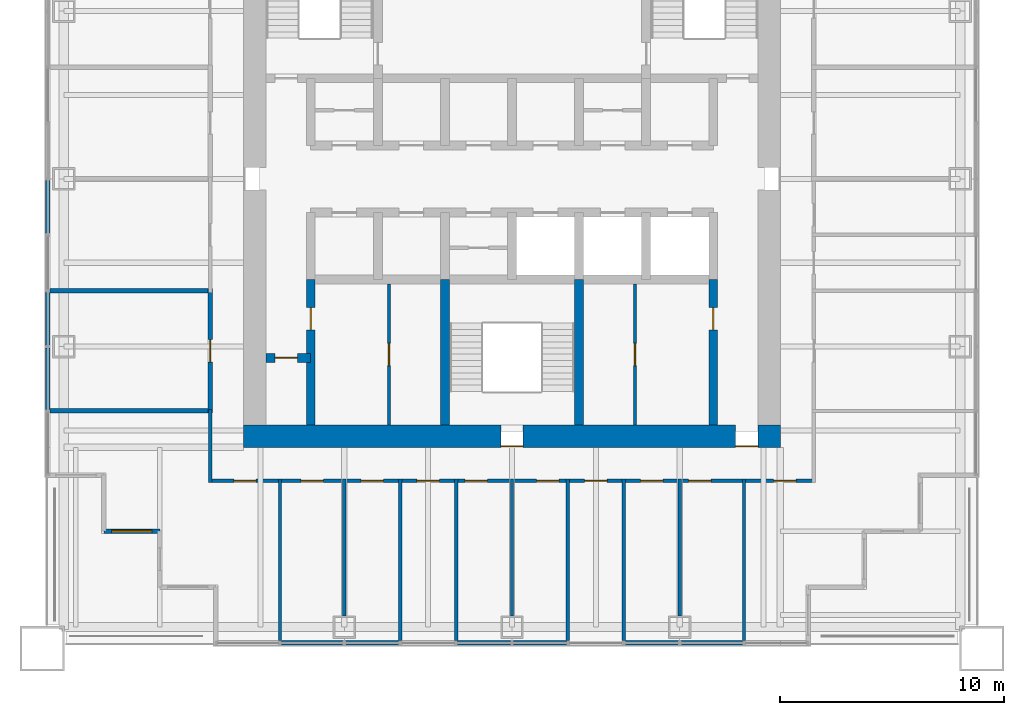
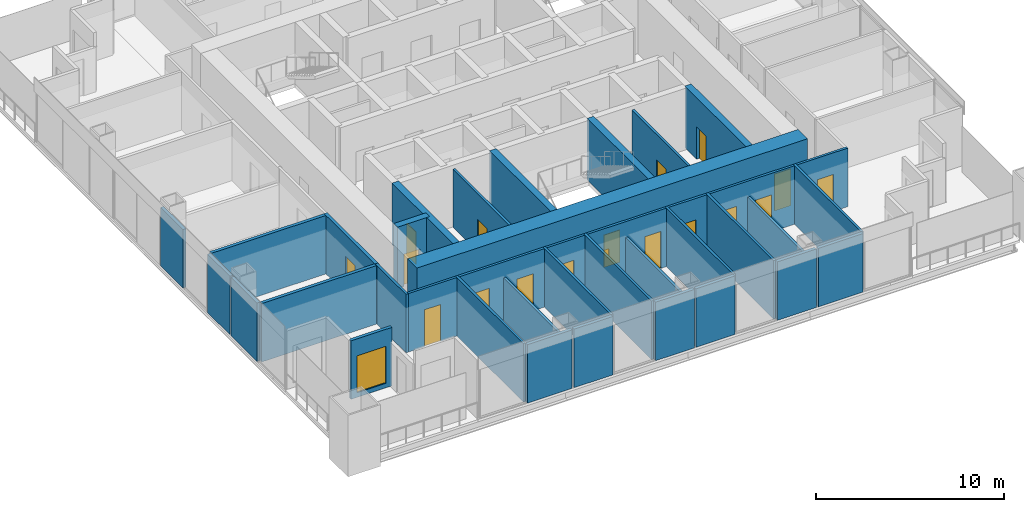
# One storey, part 9 of 15: 32 walls, 18 doors, 1 window, 19 openings.
"""IFC4 building model written with IfcOpenShell, lengths in metres."""

from ifc_helpers import new_model, si_unit, direction, frame, frame_2d, origin, place, context, subcontext, project, spatial, rectangle, extrude, material, layer, layer_set, type_object, element, fill, save


model = new_model("IFC4")

# Units and contexts
model_context = context("Model", 3, precision=1e-05, world=origin(), true_north=direction((0.0, 1.0)))
body_context = subcontext(model_context, "Body", "Model", "MODEL_VIEW")
ifc_project = project(units=[si_unit("LENGTHUNIT", "METRE"), si_unit("AREAUNIT", "SQUARE_METRE"), si_unit("VOLUMEUNIT", "CUBIC_METRE"), si_unit("PLANEANGLEUNIT", "RADIAN"), si_unit("MASSUNIT", "GRAM", prefix="KILO")], contexts=[model_context])

# Site, building, storey
site_placement = place(None, origin())
site = spatial("IfcSite", under=ifc_project, at=site_placement, CompositionType="ELEMENT")
building_placement = place(site_placement, origin())
building = spatial("IfcBuilding", under=site, at=building_placement, Name="Tarangal Relay Tower", CompositionType="ELEMENT")
storey_placement = place(building_placement, frame((0.0, 0.0, 331.89990234375)))
storey = spatial("IfcBuildingStorey", under=building, at=storey_placement, Name="L74", CompositionType="ELEMENT", Elevation=331.89990234375)

# Walls
ifc_material_1 = material(Name="Two layers gypsum board each side on twin steel studs, mineral wool", Category="steel")
ifc_layer_1 = layer(ifc_material_1, 0.199951171875)
ifc_layer_set_1 = layer_set([ifc_layer_1], Name="Acoustic partition 200")
wall_type_1 = type_object("IfcWallType", Name="Acoustic partition 200", PredefinedType="PARTITIONING", material=ifc_layer_set_1)
for number, where, z_axis, x_axis, name in (
    (1, (-20.64990234375, -10.375, 0.0), (0.0, 0.0, 1.0), (1.0, 0.0, 0.0), "Partition PT2 L74"),
    (2, (-20.64990234375, -5.0, 0.0), (0.0, 0.0, 1.0), (1.0, 0.0, 0.0), "Partition PT2 L74"),
):
    element("IfcWall", number, at=place(storey_placement, frame(where, z_axis=z_axis, x_axis=x_axis)), inside=storey, type_object=wall_type_1, Name=name, PredefinedType="PARTITIONING", context=body_context, shape_type="SweptSolid", body=[
        extrude(rectangle(XDim=7.25, YDim=0.199951171875, at=frame_2d((3.625, 0.0))), origin(), (0.0, 0.0, 1.0), 3.800048828125),
    ])

# Wall, opening, door
wall_1_placement = place(storey_placement, frame((-13.5, -10.47509765625, 0.0), z_axis=(0.0, 0.0, 1.0), x_axis=(0.0, 1.0, 0.0)))
wall_1 = element("IfcWall", 3, at=wall_1_placement, inside=storey, type_object=wall_type_1, Name="Partition PT2 L74", PredefinedType="PARTITIONING", context=body_context, shape_type="SweptSolid", body=[
    extrude(rectangle(XDim=5.5751953125, YDim=0.199951171875, at=frame_2d((2.78759765625, 0.0))), origin(), (0.0, 0.0, 1.0), 3.800048828125),
])
opening_1_placement = place(wall_1_placement, frame((2.28759765625, 0.0, 0.0)))
opening_1 = element("IfcOpeningElement", 4, at=opening_1_placement, cuts=wall_1, Name="Opening SD1", PredefinedType="OPENING", context=body_context, shape_type="SweptSolid", body=[
    extrude(rectangle(XDim=1.0, YDim=2.39990234375, at=frame_2d((0.5, 1.199951171875))), frame((0.0, 0.10986328125, 0.0), z_axis=(0.0, -1.0, 0.0), x_axis=(1.0, 0.0, 0.0)), (0.0, 0.0, 1.0), 0.219970703125),
])
ifc_material_2 = material(Name="Steel door with hardwood frame", Category="steel")
door_type_1 = type_object("IfcDoorType", Name="Suite entrance door 1000 x 2400", OperationType="SINGLE_SWING_RIGHT", PredefinedType="DOOR", material=ifc_material_2)
door_1_placement = place(opening_1_placement, origin())
door_1 = element("IfcDoor", 5, at=door_1_placement, inside=storey, type_object=door_type_1, Name="Door SD1 to meeting room L74-21", OperationType="SINGLE_SWING_RIGHT", OverallHeight=2.39990234375, OverallWidth=1.0, PredefinedType="DOOR", context=body_context, shape_type="SweptSolid", body=[
    extrude(rectangle(XDim=1.0, YDim=2.39990234375, at=frame_2d((0.5, 1.199951171875))), frame((0.0, 0.02490234375, 0.0), z_axis=(0.0, -1.0, 0.0), x_axis=(1.0, 0.0, 0.0)), (0.0, 0.0, 1.0), 0.050048828125),
])
fill(opening_1, door_1)

ifc_material_3 = material(Name="Concrete fc' 60 MPa", Category="concrete")
ifc_layer_2 = layer(ifc_material_3, 0.39990234375)
ifc_layer_set_2 = layer_set([ifc_layer_2], Name="Core inner wall 400")
wall_type_2 = type_object("IfcWallType", Name="Core inner wall 400", PredefinedType="SHEAR", material=ifc_layer_set_2)
wall_2_placement = place(storey_placement, frame((-11.0, -8.0, 0.0), z_axis=(0.0, 0.0, 1.0), x_axis=(1.0, 0.0, 0.0)))
wall_2 = element("IfcWall", 6, at=wall_2_placement, inside=storey, type_object=wall_type_2, Name="Core wall YM8 L74", PredefinedType="SHEAR", context=body_context, shape_type="SweptSolid", body=[
    extrude(rectangle(XDim=2.0, YDim=0.39990234375, at=frame_2d((1.0, 0.0))), origin(), (0.0, 0.0, 1.0), 4.0),
])
opening_2_placement = place(wall_2_placement, frame((0.39990234375, 0.0, 0.0)))
opening_2 = element("IfcOpeningElement", 7, at=opening_2_placement, cuts=wall_2, Name="Opening D1", PredefinedType="OPENING", context=body_context, shape_type="SweptSolid", body=[
    extrude(rectangle(XDim=1.0, YDim=2.10009765625, at=frame_2d((0.5, 1.050048828125))), frame((0.0, 0.2099609375, 0.0), z_axis=(0.0, -1.0, 0.0), x_axis=(1.0, 0.0, 0.0)), (0.0, 0.0, 1.0), 0.419921875),
])
ifc_material_4 = material(Name="Hardwood door", Category="wood")
door_type_2 = type_object("IfcDoorType", Name="WC door 1000 x 2100", OperationType="SINGLE_SWING_LEFT", PredefinedType="DOOR", material=ifc_material_4)
door_2_placement = place(opening_2_placement, origin())
door_2 = element("IfcDoor", 8, at=door_2_placement, inside=storey, type_object=door_type_2, Name="Accessible WC door L74", OperationType="SINGLE_SWING_LEFT", OverallHeight=2.10009765625, OverallWidth=1.0, PredefinedType="DOOR", context=body_context, shape_type="SweptSolid", body=[
    extrude(rectangle(XDim=1.0, YDim=2.10009765625, at=frame_2d((0.5, 1.050048828125))), frame((0.0, 0.02490234375, 0.0), z_axis=(0.0, -1.0, 0.0), x_axis=(1.0, 0.0, 0.0)), (0.0, 0.0, 1.0), 0.050048828125),
])
fill(opening_2, door_2)

wall_3_placement = place(storey_placement, frame((-9.0, -11.0, 0.0), z_axis=(0.0, 0.0, 1.0), x_axis=(0.0, 1.0, 0.0)))
wall_3 = element("IfcWall", 9, at=wall_3_placement, inside=storey, type_object=wall_type_2, Name="Core wall XM9W L74", PredefinedType="SHEAR", context=body_context, shape_type="SweptSolid", body=[
    extrude(rectangle(XDim=6.5, YDim=0.39990234375, at=frame_2d((3.25, 0.0))), origin(), (0.0, 0.0, 1.0), 4.0),
])
opening_3_placement = place(wall_3_placement, frame((4.25, 0.0, 0.0)))
opening_3 = element("IfcOpeningElement", 10, at=opening_3_placement, cuts=wall_3, Name="Opening D1", PredefinedType="OPENING", context=body_context, shape_type="SweptSolid", body=[
    extrude(rectangle(XDim=1.0, YDim=2.10009765625, at=frame_2d((0.5, 1.050048828125))), frame((0.0, 0.2099609375, 0.0), z_axis=(0.0, -1.0, 0.0), x_axis=(1.0, 0.0, 0.0)), (0.0, 0.0, 1.0), 0.419921875),
])
door_3_placement = place(opening_3_placement, origin())
door_3 = element("IfcDoor", 11, at=door_3_placement, inside=storey, type_object=door_type_2, Name="Male WC door L74", OperationType="SINGLE_SWING_LEFT", OverallHeight=2.10009765625, OverallWidth=1.0, PredefinedType="DOOR", context=body_context, shape_type="SweptSolid", body=[
    extrude(rectangle(XDim=1.0, YDim=2.10009765625, at=frame_2d((0.5, 1.050048828125))), frame((0.0, 0.02490234375, 0.0), z_axis=(0.0, -1.0, 0.0), x_axis=(1.0, 0.0, 0.0)), (0.0, 0.0, 1.0), 0.050048828125),
])
fill(opening_3, door_3)

wall_4_placement = place(storey_placement, frame((9.0, -11.0, 0.0), z_axis=(0.0, 0.0, 1.0), x_axis=(0.0, 1.0, 0.0)))
wall_4 = element("IfcWall", 12, at=wall_4_placement, inside=storey, type_object=wall_type_2, Name="Core wall X9W L74", PredefinedType="SHEAR", context=body_context, shape_type="SweptSolid", body=[
    extrude(rectangle(XDim=6.5, YDim=0.39990234375, at=frame_2d((3.25, 0.0))), origin(), (0.0, 0.0, 1.0), 4.0),
])
opening_4_placement = place(wall_4_placement, frame((4.25, 0.0, 0.0)))
opening_4 = element("IfcOpeningElement", 13, at=opening_4_placement, cuts=wall_4, Name="Opening D1", PredefinedType="OPENING", context=body_context, shape_type="SweptSolid", body=[
    extrude(rectangle(XDim=1.0, YDim=2.10009765625, at=frame_2d((0.5, 1.050048828125))), frame((0.0, 0.2099609375, 0.0), z_axis=(0.0, -1.0, 0.0), x_axis=(1.0, 0.0, 0.0)), (0.0, 0.0, 1.0), 0.419921875),
])
door_4_placement = place(opening_4_placement, origin())
door_4 = element("IfcDoor", 14, at=door_4_placement, inside=storey, type_object=door_type_2, Name="Female WC door L74", OperationType="SINGLE_SWING_LEFT", OverallHeight=2.10009765625, OverallWidth=1.0, PredefinedType="DOOR", context=body_context, shape_type="SweptSolid", body=[
    extrude(rectangle(XDim=1.0, YDim=2.10009765625, at=frame_2d((0.5, 1.050048828125))), frame((0.0, 0.02490234375, 0.0), z_axis=(0.0, -1.0, 0.0), x_axis=(1.0, 0.0, 0.0)), (0.0, 0.0, 1.0), 0.050048828125),
])
fill(opening_4, door_4)

# Walls
for number, where, z_axis, x_axis, name in (
    (15, (-3.0, -11.0, 0.0), (0.0, 0.0, 1.0), (0.0, 1.0, 0.0), "Core wall XM3W L74"),
    (16, (3.0, -11.0, 0.0), (0.0, 0.0, 1.0), (0.0, 1.0, 0.0), "Core wall X3W L74"),
):
    element("IfcWall", number, at=place(storey_placement, frame(where, z_axis=z_axis, x_axis=x_axis)), inside=storey, type_object=wall_type_2, Name=name, PredefinedType="SHEAR", context=body_context, shape_type="SweptSolid", body=[
        extrude(rectangle(XDim=6.5, YDim=0.39990234375, at=frame_2d((3.25, 0.0))), origin(), (0.0, 0.0, 1.0), 4.0),
    ])

# Wall, openings, doors
ifc_layer_3 = layer(ifc_material_3, 1.0)
ifc_layer_set_3 = layer_set([ifc_layer_3], Name="Core wall 1000")
wall_type_3 = type_object("IfcWallType", Name="Core wall 1000", PredefinedType="SHEAR", material=ifc_layer_set_3)
wall_5_placement = place(storey_placement, frame((12.0, -11.5, 0.0), z_axis=(0.0, 0.0, 1.0), x_axis=(-1.0, 0.0, 0.0)))
wall_5 = element("IfcWall", 17, at=wall_5_placement, inside=storey, type_object=wall_type_3, Name="Core wall S L74", PredefinedType="SHEAR", context=body_context, shape_type="SweptSolid", body=[
    extrude(rectangle(XDim=24.0, YDim=1.0, at=frame_2d((12.0, 0.0))), origin(), (0.0, 0.0, 1.0), 4.0),
])
opening_5_placement = place(wall_5_placement, frame((11.5, 0.0, 0.0)))
opening_5 = element("IfcOpeningElement", 18, at=opening_5_placement, cuts=wall_5, Name="Opening FD1", PredefinedType="OPENING", context=body_context, shape_type="SweptSolid", body=[
    extrude(rectangle(XDim=1.0, YDim=2.10009765625, at=frame_2d((0.5, 1.050048828125))), frame((0.0, 0.510009765625, 0.0), z_axis=(0.0, -1.0, 0.0), x_axis=(1.0, 0.0, 0.0)), (0.0, 0.0, 1.0), 1.02001953125),
])
opening_6_placement = place(wall_5_placement, frame((1.0, 0.0, 0.0)))
opening_6 = element("IfcOpeningElement", 19, at=opening_6_placement, cuts=wall_5, Name="Opening FD3", PredefinedType="OPENING", context=body_context, shape_type="SweptSolid", body=[
    extrude(rectangle(XDim=1.0, YDim=2.39990234375, at=frame_2d((0.5, 1.199951171875))), frame((0.0, 0.510009765625, 0.0), z_axis=(0.0, -1.0, 0.0), x_axis=(1.0, 0.0, 0.0)), (0.0, 0.0, 1.0), 1.02001953125),
])
door_type_3 = type_object("IfcDoorType", Name="Fire door 1000 x 2100", OperationType="SINGLE_SWING_LEFT", PredefinedType="DOOR", material=ifc_material_2)
door_5_placement = place(opening_5_placement, origin())
door_5 = element("IfcDoor", 20, at=door_5_placement, inside=storey, type_object=door_type_3, Name="Stair ST-C door L74", OperationType="SINGLE_SWING_LEFT", OverallHeight=2.10009765625, OverallWidth=1.0, PredefinedType="DOOR", context=body_context, shape_type="SweptSolid", body=[
    extrude(rectangle(XDim=1.0, YDim=2.10009765625, at=frame_2d((0.5, 1.050048828125))), frame((0.0, 0.48486328125, 0.0), z_axis=(0.0, -1.0, 0.0), x_axis=(1.0, 0.0, 0.0)), (0.0, 0.0, 1.0), 0.050048828125),
])
fill(opening_5, door_5)
door_type_4 = type_object("IfcDoorType", Name="Fire door 1000 x 2400 core entry", OperationType="SINGLE_SWING_RIGHT", PredefinedType="DOOR", material=ifc_material_2)
door_6_placement = place(opening_6_placement, origin())
door_6 = element("IfcDoor", 21, at=door_6_placement, inside=storey, type_object=door_type_4, Name="Core entry door south east L74", OperationType="SINGLE_SWING_RIGHT", OverallHeight=2.39990234375, OverallWidth=1.0, PredefinedType="DOOR", context=body_context, shape_type="SweptSolid", body=[
    extrude(rectangle(XDim=1.0, YDim=2.39990234375, at=frame_2d((0.5, 1.199951171875))), frame((0.0, 0.48486328125, 0.0), z_axis=(0.0, -1.0, 0.0), x_axis=(1.0, 0.0, 0.0)), (0.0, 0.0, 1.0), 0.050048828125),
])
fill(opening_6, door_6)

# Wall, opening, window
ifc_material_5 = material(Name="Black metal clad insulated wall", Category="steel")
ifc_layer_4 = layer(ifc_material_5, 0.199951171875)
ifc_layer_set_4 = layer_set([ifc_layer_4], Name="Corner wall metal clad 200")
wall_type_4 = type_object("IfcWallType", Name="Corner wall metal clad 200", PredefinedType="SOLIDWALL", material=ifc_layer_set_4)
wall_6_placement = place(storey_placement, frame((-15.75, -15.75, 0.0), z_axis=(0.0, 0.0, 1.0), x_axis=(-1.0, 0.0, 0.0)))
wall_6 = element("IfcWall", 22, at=wall_6_placement, inside=storey, type_object=wall_type_4, Name="Facade wall S facade L74", PredefinedType="SOLIDWALL", context=body_context, shape_type="SweptSolid", body=[
    extrude(rectangle(XDim=2.5, YDim=0.199951171875, at=frame_2d((1.25, 0.0))), origin(), (0.0, 0.0, 1.0), 3.800048828125),
])
opening_7_placement = place(wall_6_placement, frame((0.35009765625, 0.0, 0.300048828125)))
opening_7 = element("IfcOpeningElement", 23, at=opening_7_placement, cuts=wall_6, Name="Opening WN2", PredefinedType="OPENING", context=body_context, shape_type="SweptSolid", body=[
    extrude(rectangle(XDim=1.800048828125, YDim=2.39990234375, at=frame_2d((0.89990234375, 1.199951171875))), frame((0.0, 0.10986328125, 0.0), z_axis=(0.0, -1.0, 0.0), x_axis=(1.0, 0.0, 0.0)), (0.0, 0.0, 1.0), 0.219970703125),
])
ifc_material_6 = material(Name="Dark tinted double glazing in black aluminium frame", Category="aluminium")
window_type = type_object("IfcWindowType", Name="Corner window 1800 x 2400", PartitioningType="SINGLE_PANEL", PredefinedType="WINDOW", material=ifc_material_6)
window_placement = place(opening_7_placement, origin())
window = element("IfcWindow", 24, at=window_placement, inside=storey, type_object=window_type, Name="Corner window WN2 S facade L74", OverallHeight=2.39990234375, OverallWidth=1.800048828125, PartitioningType="SINGLE_PANEL", PredefinedType="WINDOW", context=body_context, shape_type="SweptSolid", body=[
    extrude(rectangle(XDim=1.800048828125, YDim=2.39990234375, at=frame_2d((0.89990234375, 1.199951171875))), frame((0.0, 0.030029296875, 0.0), z_axis=(0.0, -1.0, 0.0), x_axis=(1.0, 0.0, 0.0)), (0.0, 0.0, 1.0), 0.06005859375),
])
fill(opening_7, window)

# Walls
ifc_layer_5 = layer(ifc_material_5, 0.199951171875)
ifc_layer_set_5 = layer_set([ifc_layer_5], Name="Facade infill wall metal clad 200")
wall_type_5 = type_object("IfcWallType", Name="Facade infill wall metal clad 200", PredefinedType="SOLIDWALL", material=ifc_layer_set_5)
wall_7_placement = place(storey_placement, frame((10.31494140625, -20.75, 0.0), z_axis=(0.0, 0.0, 1.0), x_axis=(-1.0, 0.0, 0.0)))
element("IfcWall", 25, at=wall_7_placement, inside=storey, type_object=wall_type_5, Name="Facade infill wall S facade L74 1.1", PredefinedType="SOLIDWALL", context=body_context, shape_type="SweptSolid", body=[
    extrude(rectangle(XDim=2.7548828125, YDim=0.199951171875, at=frame_2d((1.37744140625, 0.0))), origin(), (0.0, 0.0, 1.0), 3.800048828125),
])
for number, where, z_axis, x_axis, name in (
    (26, (7.43994140625, -20.75, 0.0), (0.0, 0.0, 1.0), (-1.0, 0.0, 0.0), "Facade infill wall S facade L74 1.1"),
    (27, (2.43994140625, -20.75, 0.0), (0.0, 0.0, 1.0), (-1.0, 0.0, 0.0), "Facade infill wall S facade L74 1.1"),
    (28, (-0.06005859375, -20.75, 0.0), (0.0, 0.0, 1.0), (-1.0, 0.0, 0.0), "Facade infill wall S facade L74 1.1"),
    (29, (-5.06005859375, -20.75, 0.0), (0.0, 0.0, 1.0), (-1.0, 0.0, 0.0), "Facade infill wall S facade L74 1.1"),
):
    element("IfcWall", number, at=place(storey_placement, frame(where, z_axis=z_axis, x_axis=x_axis)), inside=storey, type_object=wall_type_5, Name=name, PredefinedType="SOLIDWALL", context=body_context, shape_type="SweptSolid", body=[
        extrude(rectangle(XDim=2.3798828125, YDim=0.199951171875, at=frame_2d((1.18994140625, 0.0))), origin(), (0.0, 0.0, 1.0), 3.800048828125),
    ])
for number, where, z_axis, x_axis, name in (
    (30, (-7.56005859375, -20.75, 0.0), (0.0, 0.0, 1.0), (-1.0, 0.0, 0.0), "Facade infill wall S facade L74 1.1"),
    (31, (-20.75, -10.31494140625, 0.0), (0.0, 0.0, 1.0), (0.0, 1.0, 0.0), "Facade infill wall W facade L74 1.1"),
):
    element("IfcWall", number, at=place(storey_placement, frame(where, z_axis=z_axis, x_axis=x_axis)), inside=storey, type_object=wall_type_5, Name=name, PredefinedType="SOLIDWALL", context=body_context, shape_type="SweptSolid", body=[
        extrude(rectangle(XDim=2.7548828125, YDim=0.199951171875, at=frame_2d((1.37744140625, 0.0))), origin(), (0.0, 0.0, 1.0), 3.800048828125),
    ])
for number, where, z_axis, x_axis, name in (
    (32, (-20.75, -7.43994140625, 0.0), (0.0, 0.0, 1.0), (0.0, 1.0, 0.0), "Facade infill wall W facade L74 1.1"),
    (33, (-20.75, -2.43994140625, 0.0), (0.0, 0.0, 1.0), (0.0, 1.0, 0.0), "Facade infill wall W facade L74 1.1"),
):
    element("IfcWall", number, at=place(storey_placement, frame(where, z_axis=z_axis, x_axis=x_axis)), inside=storey, type_object=wall_type_5, Name=name, PredefinedType="SOLIDWALL", context=body_context, shape_type="SweptSolid", body=[
        extrude(rectangle(XDim=2.3798828125, YDim=0.199951171875, at=frame_2d((1.18994140625, 0.0))), origin(), (0.0, 0.0, 1.0), 3.800048828125),
    ])

# Wall, openings, doors
ifc_material_7 = material(Name="Gypsum board on steel studs", Category="steel")
ifc_layer_6 = layer(ifc_material_7, 0.14990234375)
ifc_layer_set_6 = layer_set([ifc_layer_6], Name="Partition 150")
wall_type_6 = type_object("IfcWallType", Name="Partition 150", PredefinedType="PARTITIONING", material=ifc_layer_set_6)
wall_8_placement = place(storey_placement, frame((-13.574951171875, -13.5, 0.0), z_axis=(0.0, 0.0, 1.0), x_axis=(1.0, 0.0, 0.0)))
wall_8 = element("IfcWall", 34, at=wall_8_placement, inside=storey, type_object=wall_type_6, Name="Partition PT1 L74", PredefinedType="PARTITIONING", context=body_context, shape_type="SweptSolid", body=[
    extrude(rectangle(XDim=27.14990234375, YDim=0.14990234375, at=frame_2d((13.574951171875, 0.0))), origin(), (0.0, 0.0, 1.0), 3.800048828125),
])
opening_8_placement = place(wall_8_placement, frame((21.47509765625, 0.0, 0.0)))
opening_8 = element("IfcOpeningElement", 35, at=opening_8_placement, cuts=wall_8, Name="Opening SD1", PredefinedType="OPENING", context=body_context, shape_type="SweptSolid", body=[
    extrude(rectangle(XDim=1.0, YDim=2.39990234375, at=frame_2d((0.5, 1.199951171875))), frame((0.0, 0.0849609375, 0.0), z_axis=(0.0, -1.0, 0.0), x_axis=(1.0, 0.0, 0.0)), (0.0, 0.0, 1.0), 0.169921875),
])
opening_9_placement = place(wall_8_placement, frame((19.324951171875, 0.0, 0.0)))
opening_9 = element("IfcOpeningElement", 36, at=opening_9_placement, cuts=wall_8, Name="Opening SD1", PredefinedType="OPENING", context=body_context, shape_type="SweptSolid", body=[
    extrude(rectangle(XDim=1.0, YDim=2.39990234375, at=frame_2d((0.5, 1.199951171875))), frame((0.0, 0.0849609375, 0.0), z_axis=(0.0, -1.0, 0.0), x_axis=(1.0, 0.0, 0.0)), (0.0, 0.0, 1.0), 0.169921875),
])
opening_10_placement = place(wall_8_placement, frame((16.824951171875, 0.0, 0.0)))
opening_10 = element("IfcOpeningElement", 37, at=opening_10_placement, cuts=wall_8, Name="Opening SD1", PredefinedType="OPENING", context=body_context, shape_type="SweptSolid", body=[
    extrude(rectangle(XDim=1.0, YDim=2.39990234375, at=frame_2d((0.5, 1.199951171875))), frame((0.0, 0.0849609375, 0.0), z_axis=(0.0, -1.0, 0.0), x_axis=(1.0, 0.0, 0.0)), (0.0, 0.0, 1.0), 0.169921875),
])
opening_11_placement = place(wall_8_placement, frame((14.675048828125, 0.0, 0.0)))
opening_11 = element("IfcOpeningElement", 38, at=opening_11_placement, cuts=wall_8, Name="Opening SD1", PredefinedType="OPENING", context=body_context, shape_type="SweptSolid", body=[
    extrude(rectangle(XDim=1.0, YDim=2.39990234375, at=frame_2d((0.5, 1.199951171875))), frame((0.0, 0.0849609375, 0.0), z_axis=(0.0, -1.0, 0.0), x_axis=(1.0, 0.0, 0.0)), (0.0, 0.0, 1.0), 0.169921875),
])
opening_12_placement = place(wall_8_placement, frame((11.47509765625, 0.0, 0.0)))
opening_12 = element("IfcOpeningElement", 39, at=opening_12_placement, cuts=wall_8, Name="Opening SD1", PredefinedType="OPENING", context=body_context, shape_type="SweptSolid", body=[
    extrude(rectangle(XDim=1.0, YDim=2.39990234375, at=frame_2d((0.5, 1.199951171875))), frame((0.0, 0.0849609375, 0.0), z_axis=(0.0, -1.0, 0.0), x_axis=(1.0, 0.0, 0.0)), (0.0, 0.0, 1.0), 0.169921875),
])
opening_13_placement = place(wall_8_placement, frame((9.324951171875, 0.0, 0.0)))
opening_13 = element("IfcOpeningElement", 40, at=opening_13_placement, cuts=wall_8, Name="Opening SD1", PredefinedType="OPENING", context=body_context, shape_type="SweptSolid", body=[
    extrude(rectangle(XDim=1.0, YDim=2.39990234375, at=frame_2d((0.5, 1.199951171875))), frame((0.0, 0.0849609375, 0.0), z_axis=(0.0, -1.0, 0.0), x_axis=(1.0, 0.0, 0.0)), (0.0, 0.0, 1.0), 0.169921875),
])
opening_14_placement = place(wall_8_placement, frame((6.824951171875, 0.0, 0.0)))
opening_14 = element("IfcOpeningElement", 41, at=opening_14_placement, cuts=wall_8, Name="Opening SD1", PredefinedType="OPENING", context=body_context, shape_type="SweptSolid", body=[
    extrude(rectangle(XDim=1.0, YDim=2.39990234375, at=frame_2d((0.5, 1.199951171875))), frame((0.0, 0.0849609375, 0.0), z_axis=(0.0, -1.0, 0.0), x_axis=(1.0, 0.0, 0.0)), (0.0, 0.0, 1.0), 0.169921875),
])
opening_15_placement = place(wall_8_placement, frame((4.137451171875, 0.0, 0.0)))
opening_15 = element("IfcOpeningElement", 42, at=opening_15_placement, cuts=wall_8, Name="Opening SD1", PredefinedType="OPENING", context=body_context, shape_type="SweptSolid", body=[
    extrude(rectangle(XDim=1.0, YDim=2.39990234375, at=frame_2d((0.5, 1.199951171875))), frame((0.0, 0.0849609375, 0.0), z_axis=(0.0, -1.0, 0.0), x_axis=(1.0, 0.0, 0.0)), (0.0, 0.0, 1.0), 0.169921875),
])
opening_16_placement = place(wall_8_placement, frame((25.277587890625, 0.0, 0.0)))
opening_16 = element("IfcOpeningElement", 43, at=opening_16_placement, cuts=wall_8, Name="Opening SD1", PredefinedType="OPENING", context=body_context, shape_type="SweptSolid", body=[
    extrude(rectangle(XDim=1.0, YDim=2.39990234375, at=frame_2d((0.5, 1.199951171875))), frame((0.0, 0.0849609375, 0.0), z_axis=(0.0, -1.0, 0.0), x_axis=(1.0, 0.0, 0.0)), (0.0, 0.0, 1.0), 0.169921875),
])
opening_17_placement = place(wall_8_placement, frame((1.137451171875, 0.0, 0.0)))
opening_17 = element("IfcOpeningElement", 44, at=opening_17_placement, cuts=wall_8, Name="Opening SD1", PredefinedType="OPENING", context=body_context, shape_type="SweptSolid", body=[
    extrude(rectangle(XDim=1.0, YDim=2.39990234375, at=frame_2d((0.5, 1.199951171875))), frame((0.0, 0.0849609375, 0.0), z_axis=(0.0, -1.0, 0.0), x_axis=(1.0, 0.0, 0.0)), (0.0, 0.0, 1.0), 0.169921875),
])
door_7_placement = place(opening_8_placement, origin())
door_7 = element("IfcDoor", 45, at=door_7_placement, inside=storey, type_object=door_type_1, Name="Door SD1 to cellular office L74-13", OperationType="SINGLE_SWING_RIGHT", OverallHeight=2.39990234375, OverallWidth=1.0, PredefinedType="DOOR", context=body_context, shape_type="SweptSolid", body=[
    extrude(rectangle(XDim=1.0, YDim=2.39990234375, at=frame_2d((0.5, 1.199951171875))), frame((0.0, 0.02490234375, 0.0), z_axis=(0.0, -1.0, 0.0), x_axis=(1.0, 0.0, 0.0)), (0.0, 0.0, 1.0), 0.050048828125),
])
fill(opening_8, door_7)
door_8_placement = place(opening_9_placement, origin())
door_8 = element("IfcDoor", 46, at=door_8_placement, inside=storey, type_object=door_type_1, Name="Door SD1 to cellular office L74-14", OperationType="SINGLE_SWING_RIGHT", OverallHeight=2.39990234375, OverallWidth=1.0, PredefinedType="DOOR", context=body_context, shape_type="SweptSolid", body=[
    extrude(rectangle(XDim=1.0, YDim=2.39990234375, at=frame_2d((0.5, 1.199951171875))), frame((0.0, 0.02490234375, 0.0), z_axis=(0.0, -1.0, 0.0), x_axis=(1.0, 0.0, 0.0)), (0.0, 0.0, 1.0), 0.050048828125),
])
fill(opening_9, door_8)
door_9_placement = place(opening_10_placement, origin())
door_9 = element("IfcDoor", 47, at=door_9_placement, inside=storey, type_object=door_type_1, Name="Door SD1 to print room L74-15", OperationType="SINGLE_SWING_RIGHT", OverallHeight=2.39990234375, OverallWidth=1.0, PredefinedType="DOOR", context=body_context, shape_type="SweptSolid", body=[
    extrude(rectangle(XDim=1.0, YDim=2.39990234375, at=frame_2d((0.5, 1.199951171875))), frame((0.0, 0.02490234375, 0.0), z_axis=(0.0, -1.0, 0.0), x_axis=(1.0, 0.0, 0.0)), (0.0, 0.0, 1.0), 0.050048828125),
])
fill(opening_10, door_9)
door_10_placement = place(opening_11_placement, origin())
door_10 = element("IfcDoor", 48, at=door_10_placement, inside=storey, type_object=door_type_1, Name="Door SD1 to team room L74-16", OperationType="SINGLE_SWING_RIGHT", OverallHeight=2.39990234375, OverallWidth=1.0, PredefinedType="DOOR", context=body_context, shape_type="SweptSolid", body=[
    extrude(rectangle(XDim=1.0, YDim=2.39990234375, at=frame_2d((0.5, 1.199951171875))), frame((0.0, 0.02490234375, 0.0), z_axis=(0.0, -1.0, 0.0), x_axis=(1.0, 0.0, 0.0)), (0.0, 0.0, 1.0), 0.050048828125),
])
fill(opening_11, door_10)
door_11_placement = place(opening_12_placement, origin())
door_11 = element("IfcDoor", 49, at=door_11_placement, inside=storey, type_object=door_type_1, Name="Door SD1 to cellular office L74-17", OperationType="SINGLE_SWING_RIGHT", OverallHeight=2.39990234375, OverallWidth=1.0, PredefinedType="DOOR", context=body_context, shape_type="SweptSolid", body=[
    extrude(rectangle(XDim=1.0, YDim=2.39990234375, at=frame_2d((0.5, 1.199951171875))), frame((0.0, 0.02490234375, 0.0), z_axis=(0.0, -1.0, 0.0), x_axis=(1.0, 0.0, 0.0)), (0.0, 0.0, 1.0), 0.050048828125),
])
fill(opening_12, door_11)
door_12_placement = place(opening_13_placement, origin())
door_12 = element("IfcDoor", 50, at=door_12_placement, inside=storey, type_object=door_type_1, Name="Door SD1 to cellular office L74-18", OperationType="SINGLE_SWING_RIGHT", OverallHeight=2.39990234375, OverallWidth=1.0, PredefinedType="DOOR", context=body_context, shape_type="SweptSolid", body=[
    extrude(rectangle(XDim=1.0, YDim=2.39990234375, at=frame_2d((0.5, 1.199951171875))), frame((0.0, 0.02490234375, 0.0), z_axis=(0.0, -1.0, 0.0), x_axis=(1.0, 0.0, 0.0)), (0.0, 0.0, 1.0), 0.050048828125),
])
fill(opening_13, door_12)
door_13_placement = place(opening_14_placement, origin())
door_13 = element("IfcDoor", 51, at=door_13_placement, inside=storey, type_object=door_type_1, Name="Door SD1 to cellular office L74-19", OperationType="SINGLE_SWING_RIGHT", OverallHeight=2.39990234375, OverallWidth=1.0, PredefinedType="DOOR", context=body_context, shape_type="SweptSolid", body=[
    extrude(rectangle(XDim=1.0, YDim=2.39990234375, at=frame_2d((0.5, 1.199951171875))), frame((0.0, 0.02490234375, 0.0), z_axis=(0.0, -1.0, 0.0), x_axis=(1.0, 0.0, 0.0)), (0.0, 0.0, 1.0), 0.050048828125),
])
fill(opening_14, door_13)
door_14_placement = place(opening_15_placement, origin())
door_14 = element("IfcDoor", 52, at=door_14_placement, inside=storey, type_object=door_type_1, Name="Door SD1 to cellular office L74-20", OperationType="SINGLE_SWING_RIGHT", OverallHeight=2.39990234375, OverallWidth=1.0, PredefinedType="DOOR", context=body_context, shape_type="SweptSolid", body=[
    extrude(rectangle(XDim=1.0, YDim=2.39990234375, at=frame_2d((0.5, 1.199951171875))), frame((0.0, 0.02490234375, 0.0), z_axis=(0.0, -1.0, 0.0), x_axis=(1.0, 0.0, 0.0)), (0.0, 0.0, 1.0), 0.050048828125),
])
fill(opening_15, door_14)
door_15_placement = place(opening_16_placement, origin())
door_15 = element("IfcDoor", 53, at=door_15_placement, inside=storey, type_object=door_type_1, Name="Door SD1 to open plan office L74-26", OperationType="SINGLE_SWING_RIGHT", OverallHeight=2.39990234375, OverallWidth=1.0, PredefinedType="DOOR", context=body_context, shape_type="SweptSolid", body=[
    extrude(rectangle(XDim=1.0, YDim=2.39990234375, at=frame_2d((0.5, 1.199951171875))), frame((0.0, 0.02490234375, 0.0), z_axis=(0.0, -1.0, 0.0), x_axis=(1.0, 0.0, 0.0)), (0.0, 0.0, 1.0), 0.050048828125),
])
fill(opening_16, door_15)
door_16_placement = place(opening_17_placement, origin())
door_16 = element("IfcDoor", 54, at=door_16_placement, inside=storey, type_object=door_type_1, Name="Door SD1 to open plan office L74-27", OperationType="SINGLE_SWING_RIGHT", OverallHeight=2.39990234375, OverallWidth=1.0, PredefinedType="DOOR", context=body_context, shape_type="SweptSolid", body=[
    extrude(rectangle(XDim=1.0, YDim=2.39990234375, at=frame_2d((0.5, 1.199951171875))), frame((0.0, 0.02490234375, 0.0), z_axis=(0.0, -1.0, 0.0), x_axis=(1.0, 0.0, 0.0)), (0.0, 0.0, 1.0), 0.050048828125),
])
fill(opening_17, door_16)

# Walls
wall_9_placement = place(storey_placement, frame((-13.5, -13.574951171875, 0.0), z_axis=(0.0, 0.0, 1.0), x_axis=(0.0, 1.0, 0.0)))
element("IfcWall", 55, at=wall_9_placement, inside=storey, type_object=wall_type_6, Name="Partition PT1 L74", PredefinedType="PARTITIONING", context=body_context, shape_type="SweptSolid", body=[
    extrude(rectangle(XDim=3.27490234375, YDim=0.14990234375, at=frame_2d((1.637451171875, 0.0))), origin(), (0.0, 0.0, 1.0), 3.800048828125),
])
wall_10_placement = place(storey_placement, frame((-10.375, -20.64990234375, 0.0), z_axis=(0.0, 0.0, 1.0), x_axis=(0.0, 1.0, 0.0)))
element("IfcWall", 56, at=wall_10_placement, inside=storey, type_object=wall_type_6, Name="Partition PT1 L74", PredefinedType="PARTITIONING", context=body_context, shape_type="SweptSolid", body=[
    extrude(rectangle(XDim=7.224853515625, YDim=0.14990234375, at=frame_2d((3.6123046875, 0.0))), origin(), (0.0, 0.0, 1.0), 3.800048828125),
])
wall_11_placement = place(storey_placement, frame((-7.5, -19.5400390625, 0.0), z_axis=(0.0, 0.0, 1.0), x_axis=(0.0, 1.0, 0.0)))
element("IfcWall", 57, at=wall_11_placement, inside=storey, type_object=wall_type_6, Name="Partition PT1 L74", PredefinedType="PARTITIONING", context=body_context, shape_type="SweptSolid", body=[
    extrude(rectangle(XDim=6.114990234375, YDim=0.14990234375, at=frame_2d((3.0576171875, 0.0))), origin(), (0.0, 0.0, 1.0), 2.768798828125),
])
for number, where, z_axis, x_axis, name in (
    (58, (-5.0, -20.64990234375, 0.0), (0.0, 0.0, 1.0), (0.0, 1.0, 0.0), "Partition PT1 L74"),
    (59, (-2.5, -20.64990234375, 0.0), (0.0, 0.0, 1.0), (0.0, 1.0, 0.0), "Partition PT1 L74"),
):
    element("IfcWall", number, at=place(storey_placement, frame(where, z_axis=z_axis, x_axis=x_axis)), inside=storey, type_object=wall_type_6, Name=name, PredefinedType="PARTITIONING", context=body_context, shape_type="SweptSolid", body=[
        extrude(rectangle(XDim=7.224853515625, YDim=0.14990234375, at=frame_2d((3.6123046875, 0.0))), origin(), (0.0, 0.0, 1.0), 3.800048828125),
    ])
wall_12_placement = place(storey_placement, frame((0.0, -19.5400390625, 0.0), z_axis=(0.0, 0.0, 1.0), x_axis=(0.0, 1.0, 0.0)))
element("IfcWall", 60, at=wall_12_placement, inside=storey, type_object=wall_type_6, Name="Partition PT1 L74", PredefinedType="PARTITIONING", context=body_context, shape_type="SweptSolid", body=[
    extrude(rectangle(XDim=6.114990234375, YDim=0.14990234375, at=frame_2d((3.0576171875, 0.0))), origin(), (0.0, 0.0, 1.0), 2.768798828125),
])
for number, where, z_axis, x_axis, name in (
    (61, (2.5, -20.64990234375, 0.0), (0.0, 0.0, 1.0), (0.0, 1.0, 0.0), "Partition PT1 L74"),
    (62, (5.0, -20.64990234375, 0.0), (0.0, 0.0, 1.0), (0.0, 1.0, 0.0), "Partition PT1 L74"),
):
    element("IfcWall", number, at=place(storey_placement, frame(where, z_axis=z_axis, x_axis=x_axis)), inside=storey, type_object=wall_type_6, Name=name, PredefinedType="PARTITIONING", context=body_context, shape_type="SweptSolid", body=[
        extrude(rectangle(XDim=7.224853515625, YDim=0.14990234375, at=frame_2d((3.6123046875, 0.0))), origin(), (0.0, 0.0, 1.0), 3.800048828125),
    ])
wall_13_placement = place(storey_placement, frame((7.5, -19.5400390625, 0.0), z_axis=(0.0, 0.0, 1.0), x_axis=(0.0, 1.0, 0.0)))
element("IfcWall", 63, at=wall_13_placement, inside=storey, type_object=wall_type_6, Name="Partition PT1 L74", PredefinedType="PARTITIONING", context=body_context, shape_type="SweptSolid", body=[
    extrude(rectangle(XDim=6.114990234375, YDim=0.14990234375, at=frame_2d((3.0576171875, 0.0))), origin(), (0.0, 0.0, 1.0), 2.768798828125),
])
wall_14_placement = place(storey_placement, frame((10.375, -20.64990234375, 0.0), z_axis=(0.0, 0.0, 1.0), x_axis=(0.0, 1.0, 0.0)))
element("IfcWall", 64, at=wall_14_placement, inside=storey, type_object=wall_type_6, Name="Partition PT1 L74", PredefinedType="PARTITIONING", context=body_context, shape_type="SweptSolid", body=[
    extrude(rectangle(XDim=7.224853515625, YDim=0.14990234375, at=frame_2d((3.6123046875, 0.0))), origin(), (0.0, 0.0, 1.0), 3.800048828125),
])

# Wall, opening, door
wall_15_placement = place(storey_placement, frame((-5.5, -11.0, 0.0), z_axis=(0.0, 0.0, 1.0), x_axis=(0.0, 1.0, 0.0)))
wall_15 = element("IfcWall", 65, at=wall_15_placement, inside=storey, type_object=wall_type_6, Name="Partition PT1 L74", PredefinedType="PARTITIONING", context=body_context, shape_type="SweptSolid", body=[
    extrude(rectangle(XDim=6.300048828125, YDim=0.14990234375, at=frame_2d((3.14990234375, 0.0))), origin(), (0.0, 0.0, 1.0), 3.75),
])
opening_18_placement = place(wall_15_placement, frame((2.64990234375, 0.0, 0.0)))
opening_18 = element("IfcOpeningElement", 66, at=opening_18_placement, cuts=wall_15, Name="Opening D1", PredefinedType="OPENING", context=body_context, shape_type="SweptSolid", body=[
    extrude(rectangle(XDim=1.0, YDim=2.10009765625, at=frame_2d((0.5, 1.050048828125))), frame((0.0, 0.0849609375, 0.0), z_axis=(0.0, -1.0, 0.0), x_axis=(1.0, 0.0, 0.0)), (0.0, 0.0, 1.0), 0.169921875),
])
door_17_placement = place(opening_18_placement, origin())
door_17 = element("IfcDoor", 67, at=door_17_placement, inside=storey, type_object=door_type_2, Name="Door D1 to male shower and changing room L74-C7B", OperationType="SINGLE_SWING_LEFT", OverallHeight=2.10009765625, OverallWidth=1.0, PredefinedType="DOOR", context=body_context, shape_type="SweptSolid", body=[
    extrude(rectangle(XDim=1.0, YDim=2.10009765625, at=frame_2d((0.5, 1.050048828125))), frame((0.0, 0.02490234375, 0.0), z_axis=(0.0, -1.0, 0.0), x_axis=(1.0, 0.0, 0.0)), (0.0, 0.0, 1.0), 0.050048828125),
])
fill(opening_18, door_17)

wall_16_placement = place(storey_placement, frame((5.5, -11.0, 0.0), z_axis=(0.0, 0.0, 1.0), x_axis=(0.0, 1.0, 0.0)))
wall_16 = element("IfcWall", 68, at=wall_16_placement, inside=storey, type_object=wall_type_6, Name="Partition PT1 L74", PredefinedType="PARTITIONING", context=body_context, shape_type="SweptSolid", body=[
    extrude(rectangle(XDim=6.300048828125, YDim=0.14990234375, at=frame_2d((3.14990234375, 0.0))), origin(), (0.0, 0.0, 1.0), 3.75),
])
opening_19_placement = place(wall_16_placement, frame((2.64990234375, 0.0, 0.0)))
opening_19 = element("IfcOpeningElement", 69, at=opening_19_placement, cuts=wall_16, Name="Opening D1", PredefinedType="OPENING", context=body_context, shape_type="SweptSolid", body=[
    extrude(rectangle(XDim=1.0, YDim=2.10009765625, at=frame_2d((0.5, 1.050048828125))), frame((0.0, 0.0849609375, 0.0), z_axis=(0.0, -1.0, 0.0), x_axis=(1.0, 0.0, 0.0)), (0.0, 0.0, 1.0), 0.169921875),
])
door_18_placement = place(opening_19_placement, origin())
door_18 = element("IfcDoor", 70, at=door_18_placement, inside=storey, type_object=door_type_2, Name="Door D1 to female shower and changing room L74-C10B", OperationType="SINGLE_SWING_LEFT", OverallHeight=2.10009765625, OverallWidth=1.0, PredefinedType="DOOR", context=body_context, shape_type="SweptSolid", body=[
    extrude(rectangle(XDim=1.0, YDim=2.10009765625, at=frame_2d((0.5, 1.050048828125))), frame((0.0, 0.02490234375, 0.0), z_axis=(0.0, -1.0, 0.0), x_axis=(1.0, 0.0, 0.0)), (0.0, 0.0, 1.0), 0.050048828125),
])
fill(opening_19, door_18)

save(model, "model.ifc")
